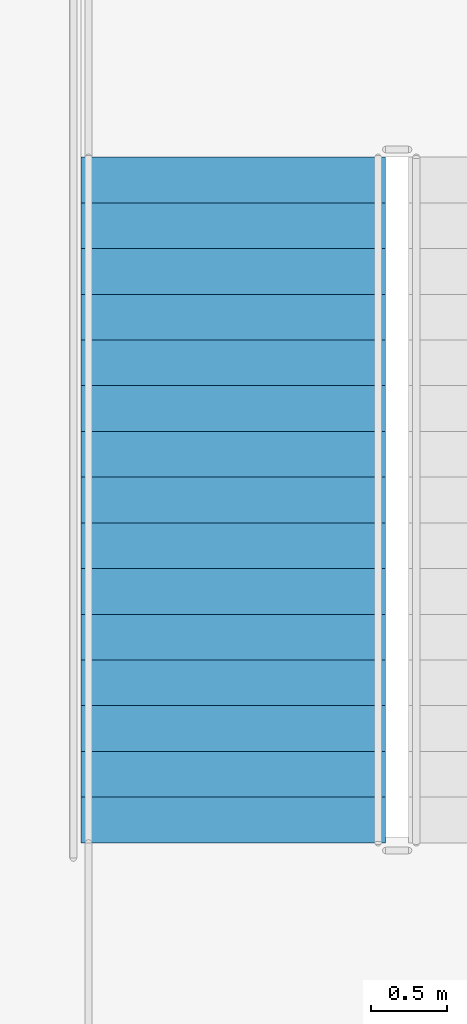
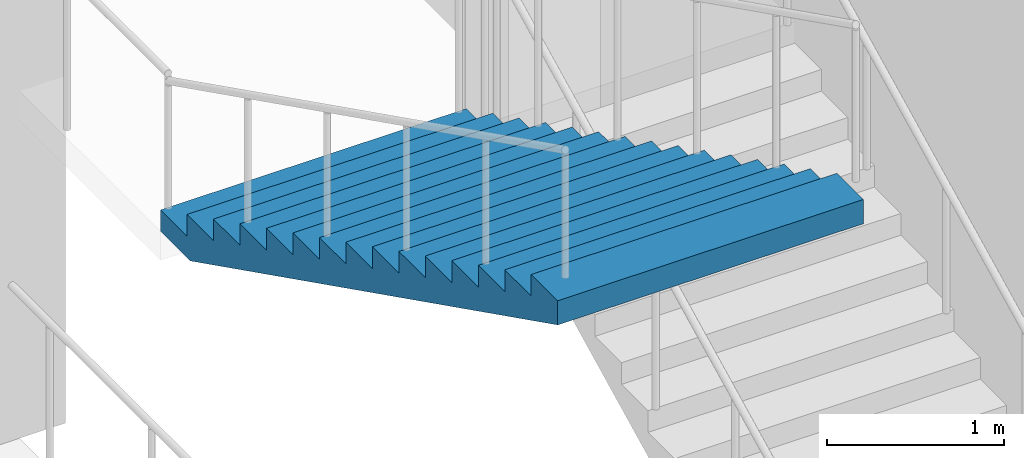
# One storey, part 50 of 91: 1 stair flight, 1 element without a shape of its own.
"""IFC4 building model written with IfcOpenShell, lengths in metres."""

from ifc_helpers import new_model, si_unit, direction, frame, origin, place, context, subcontext, project, spatial, faceted_brep, material, type_object, element, aggregate, save


model = new_model("IFC4")

# Units and contexts
model_context = context("Model", 3, precision=1e-05, world=origin(), true_north=direction((0.0, 1.0)))
body_context = subcontext(model_context, "Body", "Model", "MODEL_VIEW")
ifc_project = project(units=[si_unit("LENGTHUNIT", "METRE"), si_unit("AREAUNIT", "SQUARE_METRE"), si_unit("VOLUMEUNIT", "CUBIC_METRE"), si_unit("PLANEANGLEUNIT", "RADIAN"), si_unit("MASSUNIT", "GRAM", prefix="KILO")], contexts=[model_context])

# Site, building, storey
site_placement = place(None, origin())
site = spatial("IfcSite", under=ifc_project, at=site_placement, CompositionType="ELEMENT")
building_placement = place(site_placement, origin())
building = spatial("IfcBuilding", under=site, at=building_placement, Name="Kiln Court Media Centre", CompositionType="ELEMENT")
storey_placement = place(building_placement, frame((0.0, 0.0, 5.39990234375)))
storey = spatial("IfcBuildingStorey", under=building, at=storey_placement, Name="L01", CompositionType="ELEMENT", Elevation=5.39990234375)

# Stair, stair flight
ifc_material_1 = material(Name="Concrete C40/50", Category="concrete")
stair_type = type_object("IfcStairType", Name="Concrete C40/50 dog-leg stair 2000 wide, 150 riser", PredefinedType="HALF_TURN_STAIR", material=ifc_material_1)
stair_placement = place(storey_placement, origin())
stair = element("IfcStair", 1, at=stair_placement, inside=storey, type_object=stair_type, Name="ST-F1 L01", PredefinedType="HALF_TURN_STAIR")
ifc_material_2 = material(Name="Concrete C40/50", Category="concrete")
stair_flight_type = type_object("IfcStairFlightType", Name="Concrete C40/50 stair flight 2000 wide, 150 riser, 300 going", PredefinedType="STRAIGHT", material=ifc_material_2)
stair_flight_placement = place(storey_placement, frame((55.64990234375, 40.10009765625, 2.400146484375), z_axis=(0.0, 0.0, 1.0), x_axis=(0.0, -1.0, 0.0)))
stair_flight = element("IfcStairFlight", 2, at=stair_flight_placement, type_object=stair_flight_type, Name="L01-ST-5017 flight 5035", NumberOfRisers=16, NumberOfTreads=15, PredefinedType="STRAIGHT", RiserHeight=0.15, TreadLength=0.3, context=body_context, shape_type="Brep", body=[
    faceted_brep([(0.335205078125, -1.0, 0.0), (4.5, -1.0, 2.08251953125), (4.5, -1.0, 2.25), (4.199951171875, -1.0, 2.25), (4.199951171875, -1.0, 2.10009765625), (3.89990234375, -1.0, 2.10009765625), (3.89990234375, -1.0, 1.949951171875), (3.60009765625, -1.0, 1.949951171875), (3.60009765625, -1.0, 1.800048828125), (3.300048828125, -1.0, 1.800048828125), (3.300048828125, -1.0, 1.64990234375), (3.0, -1.0, 1.64990234375), (3.0, -1.0, 1.5), (2.699951171875, -1.0, 1.5), (2.699951171875, -1.0, 1.35009765625), (2.39990234375, -1.0, 1.35009765625), (2.39990234375, -1.0, 1.199951171875), (2.10009765625, -1.0, 1.199951171875), (2.10009765625, -1.0, 1.050048828125), (1.800048828125, -1.0, 1.050048828125), (1.800048828125, -1.0, 0.89990234375), (1.5, -1.0, 0.89990234375), (1.5, -1.0, 0.75), (1.199951171875, -1.0, 0.75), (1.199951171875, -1.0, 0.60009765625), (0.89990234375, -1.0, 0.60009765625), (0.89990234375, -1.0, 0.449951171875), (0.60009765625, -1.0, 0.449951171875), (0.60009765625, -1.0, 0.300048828125), (0.300048828125, -1.0, 0.300048828125), (0.300048828125, -1.0, 0.14990234375), (0.0, -1.0, 0.14990234375), (0.0, -1.0, 0.0), (0.0, 1.0, 0.0), (0.0, 1.0, 0.14990234375), (0.300048828125, 1.0, 0.14990234375), (0.300048828125, 1.0, 0.300048828125), (0.60009765625, 1.0, 0.300048828125), (0.60009765625, 1.0, 0.449951171875), (0.89990234375, 1.0, 0.449951171875), (0.89990234375, 1.0, 0.60009765625), (1.199951171875, 1.0, 0.60009765625), (1.199951171875, 1.0, 0.75), (1.5, 1.0, 0.75), (1.5, 1.0, 0.89990234375), (1.800048828125, 1.0, 0.89990234375), (1.800048828125, 1.0, 1.050048828125), (2.10009765625, 1.0, 1.050048828125), (2.10009765625, 1.0, 1.199951171875), (2.39990234375, 1.0, 1.199951171875), (2.39990234375, 1.0, 1.35009765625), (2.699951171875, 1.0, 1.35009765625), (2.699951171875, 1.0, 1.5), (3.0, 1.0, 1.5), (3.0, 1.0, 1.64990234375), (3.300048828125, 1.0, 1.64990234375), (3.300048828125, 1.0, 1.800048828125), (3.60009765625, 1.0, 1.800048828125), (3.60009765625, 1.0, 1.949951171875), (3.89990234375, 1.0, 1.949951171875), (3.89990234375, 1.0, 2.10009765625), (4.199951171875, 1.0, 2.10009765625), (4.199951171875, 1.0, 2.25), (4.5, 1.0, 2.25), (4.5, 1.0, 2.08251953125), (0.335205078125, 1.0, 0.0), (4.5, 0.10009765625, 2.08251953125), (0.335205078125, 0.10009765625, 0.0), (4.5, 0.080078125, 2.08251953125), (0.335205078125, 0.080078125, 0.0), (4.5, 0.06005859375, 2.08251953125), (0.335205078125, 0.06005859375, 0.0), (4.5, 0.0400390625, 2.08251953125), (0.335205078125, 0.0400390625, 0.0), (4.5, 0.02001953125, 2.08251953125), (0.335205078125, 0.02001953125, 0.0), (4.5, 0.0, 2.08251953125), (0.335205078125, 0.0, 0.0), (4.5, -0.02001953125, 2.08251953125), (0.335205078125, -0.02001953125, 0.0), (4.5, -0.0400390625, 2.08251953125), (0.335205078125, -0.0400390625, 0.0), (4.5, -0.06005859375, 2.08251953125), (0.335205078125, -0.06005859375, 0.0), (4.5, -0.080078125, 2.08251953125), (0.335205078125, -0.080078125, 0.0), (4.5, -0.10009765625, 2.08251953125), (0.335205078125, -0.10009765625, 0.0), (4.5, 0.10009765625, 2.25), (4.5, 0.080078125, 2.25), (4.5, 0.06005859375, 2.25), (4.5, 0.0400390625, 2.25), (4.5, 0.02001953125, 2.25), (4.5, 0.0, 2.25), (4.5, -0.02001953125, 2.25), (4.5, -0.0400390625, 2.25), (4.5, -0.06005859375, 2.25), (4.5, -0.080078125, 2.25), (4.5, -0.10009765625, 2.25), (4.199951171875, 0.10009765625, 2.25), (4.199951171875, 0.080078125, 2.25), (4.199951171875, 0.06005859375, 2.25), (4.199951171875, 0.0400390625, 2.25), (4.199951171875, 0.02001953125, 2.25), (4.199951171875, 0.0, 2.25), (4.199951171875, -0.02001953125, 2.25), (4.199951171875, -0.0400390625, 2.25), (4.199951171875, -0.06005859375, 2.25), (4.199951171875, -0.080078125, 2.25), (4.199951171875, -0.10009765625, 2.25), (4.199951171875, 0.10009765625, 2.10009765625), (4.199951171875, 0.080078125, 2.10009765625), (4.199951171875, 0.06005859375, 2.10009765625), (4.199951171875, 0.0400390625, 2.10009765625), (4.199951171875, 0.02001953125, 2.10009765625), (4.199951171875, 0.0, 2.10009765625), (4.199951171875, -0.02001953125, 2.10009765625), (4.199951171875, -0.0400390625, 2.10009765625), (4.199951171875, -0.06005859375, 2.10009765625), (4.199951171875, -0.080078125, 2.10009765625), (4.199951171875, -0.10009765625, 2.10009765625), (3.89990234375, 0.10009765625, 2.10009765625), (3.89990234375, 0.080078125, 2.10009765625), (3.89990234375, 0.06005859375, 2.10009765625), (3.89990234375, 0.0400390625, 2.10009765625), (3.89990234375, 0.02001953125, 2.10009765625), (3.89990234375, 0.0, 2.10009765625), (3.89990234375, -0.02001953125, 2.10009765625), (3.89990234375, -0.0400390625, 2.10009765625), (3.89990234375, -0.06005859375, 2.10009765625), (3.89990234375, -0.080078125, 2.10009765625), (3.89990234375, -0.10009765625, 2.10009765625), (3.89990234375, 0.10009765625, 1.949951171875), (3.89990234375, 0.080078125, 1.949951171875), (3.89990234375, 0.06005859375, 1.949951171875), (3.89990234375, 0.0400390625, 1.949951171875), (3.89990234375, 0.02001953125, 1.949951171875), (3.89990234375, 0.0, 1.949951171875), (3.89990234375, -0.02001953125, 1.949951171875), (3.89990234375, -0.0400390625, 1.949951171875), (3.89990234375, -0.06005859375, 1.949951171875), (3.89990234375, -0.080078125, 1.949951171875), (3.89990234375, -0.10009765625, 1.949951171875), (3.60009765625, 0.10009765625, 1.949951171875), (3.60009765625, 0.080078125, 1.949951171875), (3.60009765625, 0.06005859375, 1.949951171875), (3.60009765625, 0.0400390625, 1.949951171875), (3.60009765625, 0.02001953125, 1.949951171875), (3.60009765625, 0.0, 1.949951171875), (3.60009765625, -0.02001953125, 1.949951171875), (3.60009765625, -0.0400390625, 1.949951171875), (3.60009765625, -0.06005859375, 1.949951171875), (3.60009765625, -0.080078125, 1.949951171875), (3.60009765625, -0.10009765625, 1.949951171875), (3.60009765625, 0.10009765625, 1.800048828125), (3.60009765625, 0.080078125, 1.800048828125), (3.60009765625, 0.06005859375, 1.800048828125), (3.60009765625, 0.0400390625, 1.800048828125), (3.60009765625, 0.02001953125, 1.800048828125), (3.60009765625, 0.0, 1.800048828125), (3.60009765625, -0.02001953125, 1.800048828125), (3.60009765625, -0.0400390625, 1.800048828125), (3.60009765625, -0.06005859375, 1.800048828125), (3.60009765625, -0.080078125, 1.800048828125), (3.60009765625, -0.10009765625, 1.800048828125), (3.300048828125, 0.10009765625, 1.800048828125), (3.300048828125, 0.080078125, 1.800048828125), (3.300048828125, 0.06005859375, 1.800048828125), (3.300048828125, 0.0400390625, 1.800048828125), (3.300048828125, 0.02001953125, 1.800048828125), (3.300048828125, 0.0, 1.800048828125), (3.300048828125, -0.02001953125, 1.800048828125), (3.300048828125, -0.0400390625, 1.800048828125), (3.300048828125, -0.06005859375, 1.800048828125), (3.300048828125, -0.080078125, 1.800048828125), (3.300048828125, -0.10009765625, 1.800048828125), (3.300048828125, 0.10009765625, 1.64990234375), (3.300048828125, 0.080078125, 1.64990234375), (3.300048828125, 0.06005859375, 1.64990234375), (3.300048828125, 0.0400390625, 1.64990234375), (3.300048828125, 0.02001953125, 1.64990234375), (3.300048828125, 0.0, 1.64990234375), (3.300048828125, -0.02001953125, 1.64990234375), (3.300048828125, -0.0400390625, 1.64990234375), (3.300048828125, -0.06005859375, 1.64990234375), (3.300048828125, -0.080078125, 1.64990234375), (3.300048828125, -0.10009765625, 1.64990234375), (3.0, 0.10009765625, 1.64990234375), (3.0, 0.080078125, 1.64990234375), (3.0, 0.06005859375, 1.64990234375), (3.0, 0.0400390625, 1.64990234375), (3.0, 0.02001953125, 1.64990234375), (3.0, 0.0, 1.64990234375), (3.0, -0.02001953125, 1.64990234375), (3.0, -0.0400390625, 1.64990234375), (3.0, -0.06005859375, 1.64990234375), (3.0, -0.080078125, 1.64990234375), (3.0, -0.10009765625, 1.64990234375), (3.0, 0.10009765625, 1.5), (3.0, 0.080078125, 1.5), (3.0, 0.06005859375, 1.5), (3.0, 0.0400390625, 1.5), (3.0, 0.02001953125, 1.5), (3.0, 0.0, 1.5), (3.0, -0.02001953125, 1.5), (3.0, -0.0400390625, 1.5), (3.0, -0.06005859375, 1.5), (3.0, -0.080078125, 1.5), (3.0, -0.10009765625, 1.5), (2.699951171875, 0.10009765625, 1.5), (2.699951171875, 0.080078125, 1.5), (2.699951171875, 0.06005859375, 1.5), (2.699951171875, 0.0400390625, 1.5), (2.699951171875, 0.02001953125, 1.5), (2.699951171875, 0.0, 1.5), (2.699951171875, -0.02001953125, 1.5), (2.699951171875, -0.0400390625, 1.5), (2.699951171875, -0.06005859375, 1.5), (2.699951171875, -0.080078125, 1.5), (2.699951171875, -0.10009765625, 1.5), (2.699951171875, 0.10009765625, 1.35009765625), (2.699951171875, 0.080078125, 1.35009765625), (2.699951171875, 0.06005859375, 1.35009765625), (2.699951171875, 0.0400390625, 1.35009765625), (2.699951171875, 0.02001953125, 1.35009765625), (2.699951171875, 0.0, 1.35009765625), (2.699951171875, -0.02001953125, 1.35009765625), (2.699951171875, -0.0400390625, 1.35009765625), (2.699951171875, -0.06005859375, 1.35009765625), (2.699951171875, -0.080078125, 1.35009765625), (2.699951171875, -0.10009765625, 1.35009765625), (2.39990234375, 0.10009765625, 1.35009765625), (2.39990234375, 0.080078125, 1.35009765625), (2.39990234375, 0.06005859375, 1.35009765625), (2.39990234375, 0.0400390625, 1.35009765625), (2.39990234375, 0.02001953125, 1.35009765625), (2.39990234375, 0.0, 1.35009765625), (2.39990234375, -0.02001953125, 1.35009765625), (2.39990234375, -0.0400390625, 1.35009765625), (2.39990234375, -0.06005859375, 1.35009765625), (2.39990234375, -0.080078125, 1.35009765625), (2.39990234375, -0.10009765625, 1.35009765625), (2.39990234375, 0.10009765625, 1.199951171875), (2.39990234375, 0.080078125, 1.199951171875), (2.39990234375, 0.06005859375, 1.199951171875), (2.39990234375, 0.0400390625, 1.199951171875), (2.39990234375, 0.02001953125, 1.199951171875), (2.39990234375, 0.0, 1.199951171875), (2.39990234375, -0.02001953125, 1.199951171875), (2.39990234375, -0.0400390625, 1.199951171875), (2.39990234375, -0.06005859375, 1.199951171875), (2.39990234375, -0.080078125, 1.199951171875), (2.39990234375, -0.10009765625, 1.199951171875), (2.10009765625, 0.10009765625, 1.199951171875), (2.10009765625, 0.080078125, 1.199951171875), (2.10009765625, 0.06005859375, 1.199951171875), (2.10009765625, 0.0400390625, 1.199951171875), (2.10009765625, 0.02001953125, 1.199951171875), (2.10009765625, 0.0, 1.199951171875), (2.10009765625, -0.02001953125, 1.199951171875), (2.10009765625, -0.0400390625, 1.199951171875), (2.10009765625, -0.06005859375, 1.199951171875), (2.10009765625, -0.080078125, 1.199951171875), (2.10009765625, -0.10009765625, 1.199951171875), (2.10009765625, 0.10009765625, 1.050048828125), (2.10009765625, 0.080078125, 1.050048828125), (2.10009765625, 0.06005859375, 1.050048828125), (2.10009765625, 0.0400390625, 1.050048828125), (2.10009765625, 0.02001953125, 1.050048828125), (2.10009765625, 0.0, 1.050048828125), (2.10009765625, -0.02001953125, 1.050048828125), (2.10009765625, -0.0400390625, 1.050048828125), (2.10009765625, -0.06005859375, 1.050048828125), (2.10009765625, -0.080078125, 1.050048828125), (2.10009765625, -0.10009765625, 1.050048828125), (1.800048828125, 0.10009765625, 1.050048828125), (1.800048828125, 0.080078125, 1.050048828125), (1.800048828125, 0.06005859375, 1.050048828125), (1.800048828125, 0.0400390625, 1.050048828125), (1.800048828125, 0.02001953125, 1.050048828125), (1.800048828125, 0.0, 1.050048828125), (1.800048828125, -0.02001953125, 1.050048828125), (1.800048828125, -0.0400390625, 1.050048828125), (1.800048828125, -0.06005859375, 1.050048828125), (1.800048828125, -0.080078125, 1.050048828125), (1.800048828125, -0.10009765625, 1.050048828125), (1.800048828125, 0.10009765625, 0.89990234375), (1.800048828125, 0.080078125, 0.89990234375), (1.800048828125, 0.06005859375, 0.89990234375), (1.800048828125, 0.0400390625, 0.89990234375), (1.800048828125, 0.02001953125, 0.89990234375), (1.800048828125, 0.0, 0.89990234375), (1.800048828125, -0.02001953125, 0.89990234375), (1.800048828125, -0.0400390625, 0.89990234375), (1.800048828125, -0.06005859375, 0.89990234375), (1.800048828125, -0.080078125, 0.89990234375), (1.800048828125, -0.10009765625, 0.89990234375), (1.5, 0.10009765625, 0.89990234375), (1.5, 0.080078125, 0.89990234375), (1.5, 0.06005859375, 0.89990234375), (1.5, 0.0400390625, 0.89990234375), (1.5, 0.02001953125, 0.89990234375), (1.5, 0.0, 0.89990234375), (1.5, -0.02001953125, 0.89990234375), (1.5, -0.0400390625, 0.89990234375), (1.5, -0.06005859375, 0.89990234375), (1.5, -0.080078125, 0.89990234375), (1.5, -0.10009765625, 0.89990234375), (1.5, 0.10009765625, 0.75), (1.5, 0.080078125, 0.75), (1.5, 0.06005859375, 0.75), (1.5, 0.0400390625, 0.75), (1.5, 0.02001953125, 0.75), (1.5, 0.0, 0.75), (1.5, -0.02001953125, 0.75), (1.5, -0.0400390625, 0.75), (1.5, -0.06005859375, 0.75), (1.5, -0.080078125, 0.75), (1.5, -0.10009765625, 0.75), (1.199951171875, 0.10009765625, 0.75), (1.199951171875, 0.080078125, 0.75), (1.199951171875, 0.06005859375, 0.75), (1.199951171875, 0.0400390625, 0.75), (1.199951171875, 0.02001953125, 0.75), (1.199951171875, 0.0, 0.75), (1.199951171875, -0.02001953125, 0.75), (1.199951171875, -0.0400390625, 0.75), (1.199951171875, -0.06005859375, 0.75), (1.199951171875, -0.080078125, 0.75), (1.199951171875, -0.10009765625, 0.75), (1.199951171875, 0.10009765625, 0.60009765625), (1.199951171875, 0.080078125, 0.60009765625), (1.199951171875, 0.06005859375, 0.60009765625), (1.199951171875, 0.0400390625, 0.60009765625), (1.199951171875, 0.02001953125, 0.60009765625), (1.199951171875, 0.0, 0.60009765625), (1.199951171875, -0.02001953125, 0.60009765625), (1.199951171875, -0.0400390625, 0.60009765625), (1.199951171875, -0.06005859375, 0.60009765625), (1.199951171875, -0.080078125, 0.60009765625), (1.199951171875, -0.10009765625, 0.60009765625), (0.89990234375, 0.10009765625, 0.60009765625), (0.89990234375, 0.080078125, 0.60009765625), (0.89990234375, 0.06005859375, 0.60009765625), (0.89990234375, 0.0400390625, 0.60009765625), (0.89990234375, 0.02001953125, 0.60009765625), (0.89990234375, 0.0, 0.60009765625), (0.89990234375, -0.02001953125, 0.60009765625), (0.89990234375, -0.0400390625, 0.60009765625), (0.89990234375, -0.06005859375, 0.60009765625), (0.89990234375, -0.080078125, 0.60009765625), (0.89990234375, -0.10009765625, 0.60009765625), (0.89990234375, 0.10009765625, 0.449951171875), (0.89990234375, 0.080078125, 0.449951171875), (0.89990234375, 0.06005859375, 0.449951171875), (0.89990234375, 0.0400390625, 0.449951171875), (0.89990234375, 0.02001953125, 0.449951171875), (0.89990234375, 0.0, 0.449951171875), (0.89990234375, -0.02001953125, 0.449951171875), (0.89990234375, -0.0400390625, 0.449951171875), (0.89990234375, -0.06005859375, 0.449951171875), (0.89990234375, -0.080078125, 0.449951171875), (0.89990234375, -0.10009765625, 0.449951171875), (0.60009765625, 0.10009765625, 0.449951171875), (0.60009765625, 0.080078125, 0.449951171875), (0.60009765625, 0.06005859375, 0.449951171875), (0.60009765625, 0.0400390625, 0.449951171875), (0.60009765625, 0.02001953125, 0.449951171875), (0.60009765625, 0.0, 0.449951171875), (0.60009765625, -0.02001953125, 0.449951171875), (0.60009765625, -0.0400390625, 0.449951171875), (0.60009765625, -0.06005859375, 0.449951171875), (0.60009765625, -0.080078125, 0.449951171875), (0.60009765625, -0.10009765625, 0.449951171875), (0.60009765625, 0.10009765625, 0.300048828125), (0.60009765625, 0.080078125, 0.300048828125), (0.60009765625, 0.06005859375, 0.300048828125), (0.60009765625, 0.0400390625, 0.300048828125), (0.60009765625, 0.02001953125, 0.300048828125), (0.60009765625, 0.0, 0.300048828125), (0.60009765625, -0.02001953125, 0.300048828125), (0.60009765625, -0.0400390625, 0.300048828125), (0.60009765625, -0.06005859375, 0.300048828125), (0.60009765625, -0.080078125, 0.300048828125), (0.60009765625, -0.10009765625, 0.300048828125), (0.300048828125, 0.10009765625, 0.300048828125), (0.300048828125, 0.080078125, 0.300048828125), (0.300048828125, 0.06005859375, 0.300048828125), (0.300048828125, 0.0400390625, 0.300048828125), (0.300048828125, 0.02001953125, 0.300048828125), (0.300048828125, 0.0, 0.300048828125), (0.300048828125, -0.02001953125, 0.300048828125), (0.300048828125, -0.0400390625, 0.300048828125), (0.300048828125, -0.06005859375, 0.300048828125), (0.300048828125, -0.080078125, 0.300048828125), (0.300048828125, -0.10009765625, 0.300048828125), (0.300048828125, 0.10009765625, 0.14990234375), (0.300048828125, 0.080078125, 0.14990234375), (0.300048828125, 0.06005859375, 0.14990234375), (0.300048828125, 0.0400390625, 0.14990234375), (0.300048828125, 0.02001953125, 0.14990234375), (0.300048828125, 0.0, 0.14990234375), (0.300048828125, -0.02001953125, 0.14990234375), (0.300048828125, -0.0400390625, 0.14990234375), (0.300048828125, -0.06005859375, 0.14990234375), (0.300048828125, -0.080078125, 0.14990234375), (0.300048828125, -0.10009765625, 0.14990234375), (0.0, 0.10009765625, 0.14990234375), (0.0, 0.080078125, 0.14990234375), (0.0, 0.06005859375, 0.14990234375), (0.0, 0.0400390625, 0.14990234375), (0.0, 0.02001953125, 0.14990234375), (0.0, 0.0, 0.14990234375), (0.0, -0.02001953125, 0.14990234375), (0.0, -0.0400390625, 0.14990234375), (0.0, -0.06005859375, 0.14990234375), (0.0, -0.080078125, 0.14990234375), (0.0, -0.10009765625, 0.14990234375), (0.0, 0.10009765625, 0.0), (0.0, 0.080078125, 0.0), (0.0, 0.06005859375, 0.0), (0.0, 0.0400390625, 0.0), (0.0, 0.02001953125, 0.0), (0.0, 0.0, 0.0), (0.0, -0.02001953125, 0.0), (0.0, -0.0400390625, 0.0), (0.0, -0.06005859375, 0.0), (0.0, -0.080078125, 0.0), (0.0, -0.10009765625, 0.0)], [[[0, 1, 2, 3, 4, 5, 6, 7, 8, 9, 10, 11, 12, 13, 14, 15, 16, 17, 18, 19, 20, 21, 22, 23, 24, 25, 26, 27, 28, 29, 30, 31, 32]], [[33, 34, 35, 36, 37, 38, 39, 40, 41, 42, 43, 44, 45, 46, 47, 48, 49, 50, 51, 52, 53, 54, 55, 56, 57, 58, 59, 60, 61, 62, 63, 64, 65]], [[65, 64, 66, 67]], [[67, 66, 68, 69]], [[69, 68, 70, 71]], [[71, 70, 72, 73]], [[73, 72, 74, 75]], [[75, 74, 76, 77]], [[77, 76, 78, 79]], [[79, 78, 80, 81]], [[81, 80, 82, 83]], [[83, 82, 84, 85]], [[85, 84, 86, 87]], [[87, 86, 1, 0]], [[64, 63, 88, 66]], [[66, 88, 89, 68]], [[68, 89, 90, 70]], [[70, 90, 91, 72]], [[72, 91, 92, 74]], [[74, 92, 93, 76]], [[76, 93, 94, 78]], [[78, 94, 95, 80]], [[80, 95, 96, 82]], [[82, 96, 97, 84]], [[84, 97, 98, 86]], [[86, 98, 2, 1]], [[63, 62, 99, 88]], [[88, 99, 100, 89]], [[89, 100, 101, 90]], [[90, 101, 102, 91]], [[91, 102, 103, 92]], [[92, 103, 104, 93]], [[93, 104, 105, 94]], [[94, 105, 106, 95]], [[95, 106, 107, 96]], [[96, 107, 108, 97]], [[97, 108, 109, 98]], [[98, 109, 3, 2]], [[62, 61, 110, 99]], [[99, 110, 111, 100]], [[100, 111, 112, 101]], [[101, 112, 113, 102]], [[102, 113, 114, 103]], [[103, 114, 115, 104]], [[104, 115, 116, 105]], [[105, 116, 117, 106]], [[106, 117, 118, 107]], [[107, 118, 119, 108]], [[108, 119, 120, 109]], [[109, 120, 4, 3]], [[61, 60, 121, 110]], [[110, 121, 122, 111]], [[111, 122, 123, 112]], [[112, 123, 124, 113]], [[113, 124, 125, 114]], [[114, 125, 126, 115]], [[115, 126, 127, 116]], [[116, 127, 128, 117]], [[117, 128, 129, 118]], [[118, 129, 130, 119]], [[119, 130, 131, 120]], [[120, 131, 5, 4]], [[60, 59, 132, 121]], [[121, 132, 133, 122]], [[122, 133, 134, 123]], [[123, 134, 135, 124]], [[124, 135, 136, 125]], [[125, 136, 137, 126]], [[126, 137, 138, 127]], [[127, 138, 139, 128]], [[128, 139, 140, 129]], [[129, 140, 141, 130]], [[130, 141, 142, 131]], [[131, 142, 6, 5]], [[59, 58, 143, 132]], [[132, 143, 144, 133]], [[133, 144, 145, 134]], [[134, 145, 146, 135]], [[135, 146, 147, 136]], [[136, 147, 148, 137]], [[137, 148, 149, 138]], [[138, 149, 150, 139]], [[139, 150, 151, 140]], [[140, 151, 152, 141]], [[141, 152, 153, 142]], [[142, 153, 7, 6]], [[58, 57, 154, 143]], [[143, 154, 155, 144]], [[144, 155, 156, 145]], [[145, 156, 157, 146]], [[146, 157, 158, 147]], [[147, 158, 159, 148]], [[148, 159, 160, 149]], [[149, 160, 161, 150]], [[150, 161, 162, 151]], [[151, 162, 163, 152]], [[152, 163, 164, 153]], [[153, 164, 8, 7]], [[57, 56, 165, 154]], [[154, 165, 166, 155]], [[155, 166, 167, 156]], [[156, 167, 168, 157]], [[157, 168, 169, 158]], [[158, 169, 170, 159]], [[159, 170, 171, 160]], [[160, 171, 172, 161]], [[161, 172, 173, 162]], [[162, 173, 174, 163]], [[163, 174, 175, 164]], [[164, 175, 9, 8]], [[56, 55, 176, 165]], [[165, 176, 177, 166]], [[166, 177, 178, 167]], [[167, 178, 179, 168]], [[168, 179, 180, 169]], [[169, 180, 181, 170]], [[170, 181, 182, 171]], [[171, 182, 183, 172]], [[172, 183, 184, 173]], [[173, 184, 185, 174]], [[174, 185, 186, 175]], [[175, 186, 10, 9]], [[55, 54, 187, 176]], [[176, 187, 188, 177]], [[177, 188, 189, 178]], [[178, 189, 190, 179]], [[179, 190, 191, 180]], [[180, 191, 192, 181]], [[181, 192, 193, 182]], [[182, 193, 194, 183]], [[183, 194, 195, 184]], [[184, 195, 196, 185]], [[185, 196, 197, 186]], [[186, 197, 11, 10]], [[54, 53, 198, 187]], [[187, 198, 199, 188]], [[188, 199, 200, 189]], [[189, 200, 201, 190]], [[190, 201, 202, 191]], [[191, 202, 203, 192]], [[192, 203, 204, 193]], [[193, 204, 205, 194]], [[194, 205, 206, 195]], [[195, 206, 207, 196]], [[196, 207, 208, 197]], [[197, 208, 12, 11]], [[53, 52, 209, 198]], [[198, 209, 210, 199]], [[199, 210, 211, 200]], [[200, 211, 212, 201]], [[201, 212, 213, 202]], [[202, 213, 214, 203]], [[203, 214, 215, 204]], [[204, 215, 216, 205]], [[205, 216, 217, 206]], [[206, 217, 218, 207]], [[207, 218, 219, 208]], [[208, 219, 13, 12]], [[52, 51, 220, 209]], [[209, 220, 221, 210]], [[210, 221, 222, 211]], [[211, 222, 223, 212]], [[212, 223, 224, 213]], [[213, 224, 225, 214]], [[214, 225, 226, 215]], [[215, 226, 227, 216]], [[216, 227, 228, 217]], [[217, 228, 229, 218]], [[218, 229, 230, 219]], [[219, 230, 14, 13]], [[51, 50, 231, 220]], [[220, 231, 232, 221]], [[221, 232, 233, 222]], [[222, 233, 234, 223]], [[223, 234, 235, 224]], [[224, 235, 236, 225]], [[225, 236, 237, 226]], [[226, 237, 238, 227]], [[227, 238, 239, 228]], [[228, 239, 240, 229]], [[229, 240, 241, 230]], [[230, 241, 15, 14]], [[50, 49, 242, 231]], [[231, 242, 243, 232]], [[232, 243, 244, 233]], [[233, 244, 245, 234]], [[234, 245, 246, 235]], [[235, 246, 247, 236]], [[236, 247, 248, 237]], [[237, 248, 249, 238]], [[238, 249, 250, 239]], [[239, 250, 251, 240]], [[240, 251, 252, 241]], [[241, 252, 16, 15]], [[49, 48, 253, 242]], [[242, 253, 254, 243]], [[243, 254, 255, 244]], [[244, 255, 256, 245]], [[245, 256, 257, 246]], [[246, 257, 258, 247]], [[247, 258, 259, 248]], [[248, 259, 260, 249]], [[249, 260, 261, 250]], [[250, 261, 262, 251]], [[251, 262, 263, 252]], [[252, 263, 17, 16]], [[48, 47, 264, 253]], [[253, 264, 265, 254]], [[254, 265, 266, 255]], [[255, 266, 267, 256]], [[256, 267, 268, 257]], [[257, 268, 269, 258]], [[258, 269, 270, 259]], [[259, 270, 271, 260]], [[260, 271, 272, 261]], [[261, 272, 273, 262]], [[262, 273, 274, 263]], [[263, 274, 18, 17]], [[47, 46, 275, 264]], [[264, 275, 276, 265]], [[265, 276, 277, 266]], [[266, 277, 278, 267]], [[267, 278, 279, 268]], [[268, 279, 280, 269]], [[269, 280, 281, 270]], [[270, 281, 282, 271]], [[271, 282, 283, 272]], [[272, 283, 284, 273]], [[273, 284, 285, 274]], [[274, 285, 19, 18]], [[46, 45, 286, 275]], [[275, 286, 287, 276]], [[276, 287, 288, 277]], [[277, 288, 289, 278]], [[278, 289, 290, 279]], [[279, 290, 291, 280]], [[280, 291, 292, 281]], [[281, 292, 293, 282]], [[282, 293, 294, 283]], [[283, 294, 295, 284]], [[284, 295, 296, 285]], [[285, 296, 20, 19]], [[45, 44, 297, 286]], [[286, 297, 298, 287]], [[287, 298, 299, 288]], [[288, 299, 300, 289]], [[289, 300, 301, 290]], [[290, 301, 302, 291]], [[291, 302, 303, 292]], [[292, 303, 304, 293]], [[293, 304, 305, 294]], [[294, 305, 306, 295]], [[295, 306, 307, 296]], [[296, 307, 21, 20]], [[44, 43, 308, 297]], [[297, 308, 309, 298]], [[298, 309, 310, 299]], [[299, 310, 311, 300]], [[300, 311, 312, 301]], [[301, 312, 313, 302]], [[302, 313, 314, 303]], [[303, 314, 315, 304]], [[304, 315, 316, 305]], [[305, 316, 317, 306]], [[306, 317, 318, 307]], [[307, 318, 22, 21]], [[43, 42, 319, 308]], [[308, 319, 320, 309]], [[309, 320, 321, 310]], [[310, 321, 322, 311]], [[311, 322, 323, 312]], [[312, 323, 324, 313]], [[313, 324, 325, 314]], [[314, 325, 326, 315]], [[315, 326, 327, 316]], [[316, 327, 328, 317]], [[317, 328, 329, 318]], [[318, 329, 23, 22]], [[42, 41, 330, 319]], [[319, 330, 331, 320]], [[320, 331, 332, 321]], [[321, 332, 333, 322]], [[322, 333, 334, 323]], [[323, 334, 335, 324]], [[324, 335, 336, 325]], [[325, 336, 337, 326]], [[326, 337, 338, 327]], [[327, 338, 339, 328]], [[328, 339, 340, 329]], [[329, 340, 24, 23]], [[41, 40, 341, 330]], [[330, 341, 342, 331]], [[331, 342, 343, 332]], [[332, 343, 344, 333]], [[333, 344, 345, 334]], [[334, 345, 346, 335]], [[335, 346, 347, 336]], [[336, 347, 348, 337]], [[337, 348, 349, 338]], [[338, 349, 350, 339]], [[339, 350, 351, 340]], [[340, 351, 25, 24]], [[40, 39, 352, 341]], [[341, 352, 353, 342]], [[342, 353, 354, 343]], [[343, 354, 355, 344]], [[344, 355, 356, 345]], [[345, 356, 357, 346]], [[346, 357, 358, 347]], [[347, 358, 359, 348]], [[348, 359, 360, 349]], [[349, 360, 361, 350]], [[350, 361, 362, 351]], [[351, 362, 26, 25]], [[39, 38, 363, 352]], [[352, 363, 364, 353]], [[353, 364, 365, 354]], [[354, 365, 366, 355]], [[355, 366, 367, 356]], [[356, 367, 368, 357]], [[357, 368, 369, 358]], [[358, 369, 370, 359]], [[359, 370, 371, 360]], [[360, 371, 372, 361]], [[361, 372, 373, 362]], [[362, 373, 27, 26]], [[38, 37, 374, 363]], [[363, 374, 375, 364]], [[364, 375, 376, 365]], [[365, 376, 377, 366]], [[366, 377, 378, 367]], [[367, 378, 379, 368]], [[368, 379, 380, 369]], [[369, 380, 381, 370]], [[370, 381, 382, 371]], [[371, 382, 383, 372]], [[372, 383, 384, 373]], [[373, 384, 28, 27]], [[37, 36, 385, 374]], [[374, 385, 386, 375]], [[375, 386, 387, 376]], [[376, 387, 388, 377]], [[377, 388, 389, 378]], [[378, 389, 390, 379]], [[379, 390, 391, 380]], [[380, 391, 392, 381]], [[381, 392, 393, 382]], [[382, 393, 394, 383]], [[383, 394, 395, 384]], [[384, 395, 29, 28]], [[36, 35, 396, 385]], [[385, 396, 397, 386]], [[386, 397, 398, 387]], [[387, 398, 399, 388]], [[388, 399, 400, 389]], [[389, 400, 401, 390]], [[390, 401, 402, 391]], [[391, 402, 403, 392]], [[392, 403, 404, 393]], [[393, 404, 405, 394]], [[394, 405, 406, 395]], [[395, 406, 30, 29]], [[35, 34, 407, 396]], [[396, 407, 408, 397]], [[397, 408, 409, 398]], [[398, 409, 410, 399]], [[399, 410, 411, 400]], [[400, 411, 412, 401]], [[401, 412, 413, 402]], [[402, 413, 414, 403]], [[403, 414, 415, 404]], [[404, 415, 416, 405]], [[405, 416, 417, 406]], [[406, 417, 31, 30]], [[34, 33, 418, 407]], [[407, 418, 419, 408]], [[408, 419, 420, 409]], [[409, 420, 421, 410]], [[410, 421, 422, 411]], [[411, 422, 423, 412]], [[412, 423, 424, 413]], [[413, 424, 425, 414]], [[414, 425, 426, 415]], [[415, 426, 427, 416]], [[416, 427, 428, 417]], [[417, 428, 32, 31]], [[33, 65, 67, 418]], [[418, 67, 69, 419]], [[419, 69, 71, 420]], [[420, 71, 73, 421]], [[421, 73, 75, 422]], [[422, 75, 77, 423]], [[423, 77, 79, 424]], [[424, 79, 81, 425]], [[425, 81, 83, 426]], [[426, 83, 85, 427]], [[427, 85, 87, 428]], [[428, 87, 0, 32]]]),
])
aggregate(stair, [stair_flight])

save(model, "model.ifc")
